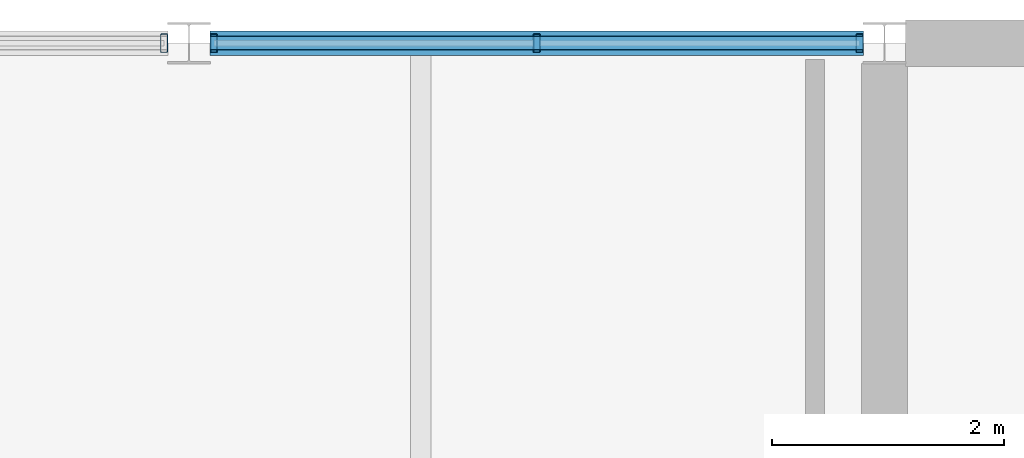
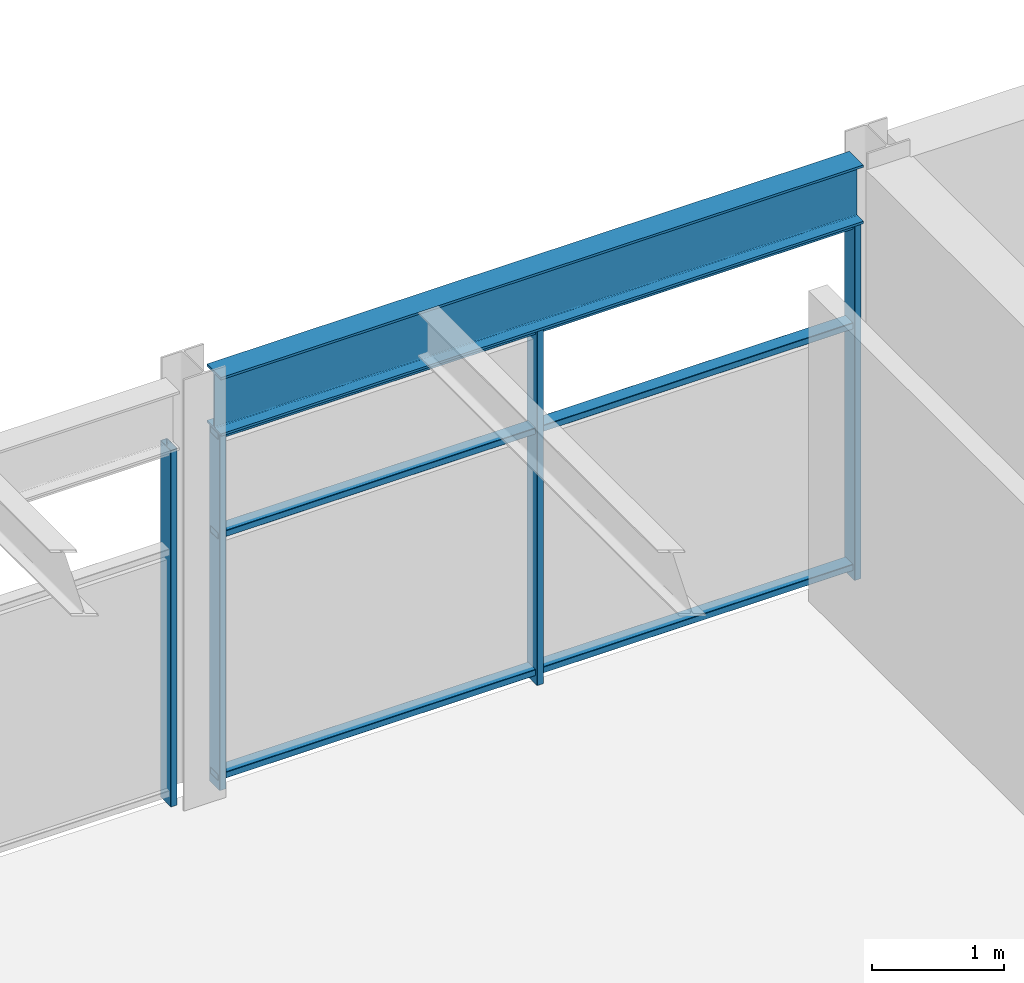
# One storey, part 31 of 40: 7 members, 1 beam, 2 elements without a shape of their own.
"""IFC4 building model written with IfcOpenShell, lengths in metres."""

from ifc_helpers import new_model, si_unit, direction, frame, origin, origin_2d, place, context, subcontext, project, spatial, hollow_rectangle, i_section, extrude, material, material_profile, profile_set, type_object, element, aggregate, save


model = new_model("IFC4")

# Units and contexts
model_context = context("Model", 3, precision=1e-05, world=origin(), true_north=direction((0.0, 1.0)))
body_context = subcontext(model_context, "Body", "Model", "MODEL_VIEW")
ifc_project = project(units=[si_unit("LENGTHUNIT", "METRE"), si_unit("AREAUNIT", "SQUARE_METRE"), si_unit("VOLUMEUNIT", "CUBIC_METRE"), si_unit("PLANEANGLEUNIT", "RADIAN"), si_unit("MASSUNIT", "GRAM", prefix="KILO")], contexts=[model_context])

# Site, building, storey
site_placement = place(None, origin())
site = spatial("IfcSite", under=ifc_project, at=site_placement, CompositionType="ELEMENT")
building_placement = place(site_placement, origin())
building = spatial("IfcBuilding", under=site, at=building_placement, Name="Girod Span Mobility Hub", CompositionType="ELEMENT")
storey_placement = place(building_placement, frame((0.0, 0.0, 57.60009765625)))
storey = spatial("IfcBuildingStorey", under=building, at=storey_placement, Name="L14", CompositionType="ELEMENT", Elevation=57.60009765625)

# Beam
ifc_material_1 = material(Name="Steel A992 Grade 50", Category="steel")
ifc_material_profile_1 = material_profile(ifc_material_1, i_section(OverallWidth=0.2119140625, OverallDepth=0.5439453125, WebThickness=0.01318359375, FlangeThickness=0.021240234375, FilletRadius=0.014892578125, at=origin_2d()), Name="W21X83")
ifc_profile_set_1 = profile_set([ifc_material_profile_1], Name="Steel A992 Grade 50")
beam_type = type_object("IfcBeamType", Name="BM-STL-W21X83", PredefinedType="SPANDREL", material=ifc_profile_set_1)
beam_placement = place(storey_placement, frame((102.181396484375, 69.0, 3.577880859375), z_axis=(1.0, 0.0, 0.0), x_axis=(0.0, 1.0, 0.0)))
element("IfcBeam", 1, at=beam_placement, inside=storey, type_object=beam_type, Name="Spandrel Beam 9-10/F-E L14", PredefinedType="SPANDREL", context=body_context, shape_type="SweptSolid", body=[
    extrude(i_section(OverallWidth=0.2119140625, OverallDepth=0.5439453125, WebThickness=0.01318359375, FlangeThickness=0.021240234375, FilletRadius=0.014892578125, at=origin_2d()), origin(), (0.0, 0.0, 1.0), 5.63720703125),
])

# Curtain wall, member
ifc_material_2 = material(Name="Thermally Broken Anodised Aluminium", Category="aluminium")
curtain_wall_type = type_object("IfcCurtainWallType", Name="CW-564X331", PredefinedType="USERDEFINED", material=ifc_material_2)
curtain_wall_1_placement = place(storey_placement, origin())
curtain_wall_1 = element("IfcCurtainWall", 2, at=curtain_wall_1_placement, inside=storey, type_object=curtain_wall_type, Name="Unitised Curtain Wall CW-L14-N09W L14", ObjectType="UNITISED CURTAIN WALL", PredefinedType="USERDEFINED")
ifc_material_3 = material(Name="Thermally Broken Anodised Aluminium", Category="aluminium")
ifc_material_profile_2 = material_profile(ifc_material_3, hollow_rectangle(XDim=0.159912109375, YDim=0.06005859375, WallThickness=0.00341796875, InnerFilletRadius=0.00341796875, OuterFilletRadius=0.007080078125, at=origin_2d()), Name="CW-ML-60X160")
ifc_profile_set_2 = profile_set([ifc_material_profile_2], Name="Thermally Broken Anodised Aluminium")
member_type_1 = type_object("IfcMemberType", Name="CWM-ML-3", PredefinedType="MULLION", material=ifc_profile_set_2)
member_1_placement = place(storey_placement, frame((101.785400390625, 69.0, 0.0), z_axis=(0.0, 0.0, 1.0), x_axis=(0.0, 1.0, 0.0)))
member_1 = element("IfcMember", 3, at=member_1_placement, type_object=member_type_1, Name="Curtain Wall Mullion CW-L14-N09W-M2", PredefinedType="MULLION", context=body_context, shape_type="SweptSolid", body=[
    extrude(hollow_rectangle(XDim=0.159912109375, YDim=0.06005859375, WallThickness=0.00341796875, InnerFilletRadius=0.00341796875, OuterFilletRadius=0.007080078125, at=origin_2d()), origin(), (0.0, 0.0, 1.0), 3.305908203125),
])
aggregate(curtain_wall_1, [member_1])

# Curtain wall, members
curtain_wall_2_placement = place(storey_placement, origin())
curtain_wall_2 = element("IfcCurtainWall", 4, at=curtain_wall_2_placement, inside=storey, type_object=curtain_wall_type, Name="Unitised Curtain Wall CW-L14-N09E L14", ObjectType="UNITISED CURTAIN WALL", PredefinedType="USERDEFINED")
member_2_placement = place(storey_placement, frame((102.214599609375, 69.0, 0.0), z_axis=(0.0, 0.0, 1.0), x_axis=(0.0, 1.0, 0.0)))
member_2 = element("IfcMember", 5, at=member_2_placement, type_object=member_type_1, Name="Curtain Wall Mullion CW-L14-N09E-M0", PredefinedType="MULLION", context=body_context, shape_type="SweptSolid", body=[
    extrude(hollow_rectangle(XDim=0.159912109375, YDim=0.06005859375, WallThickness=0.00341796875, InnerFilletRadius=0.00341796875, OuterFilletRadius=0.007080078125, at=origin_2d()), origin(), (0.0, 0.0, 1.0), 3.305908203125),
])
member_3_placement = place(storey_placement, frame((105.0, 69.0, 0.0), z_axis=(0.0, 0.0, 1.0), x_axis=(0.0, 1.0, 0.0)))
member_3 = element("IfcMember", 6, at=member_3_placement, type_object=member_type_1, Name="Curtain Wall Mullion CW-L14-N09E-M1", PredefinedType="MULLION", context=body_context, shape_type="SweptSolid", body=[
    extrude(hollow_rectangle(XDim=0.159912109375, YDim=0.06005859375, WallThickness=0.00341796875, InnerFilletRadius=0.00341796875, OuterFilletRadius=0.007080078125, at=origin_2d()), origin(), (0.0, 0.0, 1.0), 3.305908203125),
])
member_4_placement = place(storey_placement, frame((107.785400390625, 69.0, 0.0), z_axis=(0.0, 0.0, 1.0), x_axis=(0.0, 1.0, 0.0)))
member_4 = element("IfcMember", 7, at=member_4_placement, type_object=member_type_1, Name="Curtain Wall Mullion CW-L14-N09E-M2", PredefinedType="MULLION", context=body_context, shape_type="SweptSolid", body=[
    extrude(hollow_rectangle(XDim=0.159912109375, YDim=0.06005859375, WallThickness=0.00341796875, InnerFilletRadius=0.00341796875, OuterFilletRadius=0.007080078125, at=origin_2d()), origin(), (0.0, 0.0, 1.0), 3.305908203125),
])
ifc_material_4 = material(Name="Thermally Broken Anodised Aluminium", Category="aluminium")
ifc_material_profile_3 = material_profile(ifc_material_4, hollow_rectangle(XDim=0.1201171875, YDim=0.06005859375, WallThickness=0.00341796875, InnerFilletRadius=0.00341796875, OuterFilletRadius=0.007080078125, at=origin_2d()), Name="CW-TR-60X120")
ifc_profile_set_3 = profile_set([ifc_material_profile_3], Name="Thermally Broken Anodised Aluminium")
member_type_2 = type_object("IfcMemberType", Name="CWM-TR-3", PredefinedType="USERDEFINED", material=ifc_profile_set_3)
member_5_placement = place(storey_placement, frame((102.1826171875, 69.0, 0.10986328125), z_axis=(1.0, 0.0, 0.0), x_axis=(0.0, 1.0, 0.0)))
member_5 = element("IfcMember", 8, at=member_5_placement, type_object=member_type_2, Name="Curtain Wall Transom CW-L14-N09E-T1", ObjectType="TRANSOM", PredefinedType="USERDEFINED", context=body_context, shape_type="SweptSolid", body=[
    extrude(hollow_rectangle(XDim=0.1201171875, YDim=0.06005859375, WallThickness=0.00341796875, InnerFilletRadius=0.00341796875, OuterFilletRadius=0.007080078125, at=origin_2d()), origin(), (0.0, 0.0, 1.0), 5.634765625),
])
member_6_placement = place(storey_placement, frame((102.1826171875, 69.0, 2.35009765625), z_axis=(1.0, 0.0, 0.0), x_axis=(0.0, 1.0, 0.0)))
member_6 = element("IfcMember", 9, at=member_6_placement, type_object=member_type_2, Name="Curtain Wall Transom CW-L14-N09E-T2", ObjectType="TRANSOM", PredefinedType="USERDEFINED", context=body_context, shape_type="SweptSolid", body=[
    extrude(hollow_rectangle(XDim=0.1201171875, YDim=0.06005859375, WallThickness=0.00341796875, InnerFilletRadius=0.00341796875, OuterFilletRadius=0.007080078125, at=origin_2d()), origin(), (0.0, 0.0, 1.0), 5.634765625),
])
member_7_placement = place(storey_placement, frame((102.1826171875, 69.0, 3.27587890625), z_axis=(1.0, 0.0, 0.0), x_axis=(0.0, 1.0, 0.0)))
member_7 = element("IfcMember", 10, at=member_7_placement, type_object=member_type_2, Name="Curtain Wall Transom CW-L14-N09E-T3", ObjectType="TRANSOM", PredefinedType="USERDEFINED", context=body_context, shape_type="SweptSolid", body=[
    extrude(hollow_rectangle(XDim=0.1201171875, YDim=0.06005859375, WallThickness=0.00341796875, InnerFilletRadius=0.00341796875, OuterFilletRadius=0.007080078125, at=origin_2d()), origin(), (0.0, 0.0, 1.0), 5.634765625),
])
aggregate(curtain_wall_2, [member_2, member_3, member_4, member_5, member_6, member_7])

save(model, "model.ifc")
